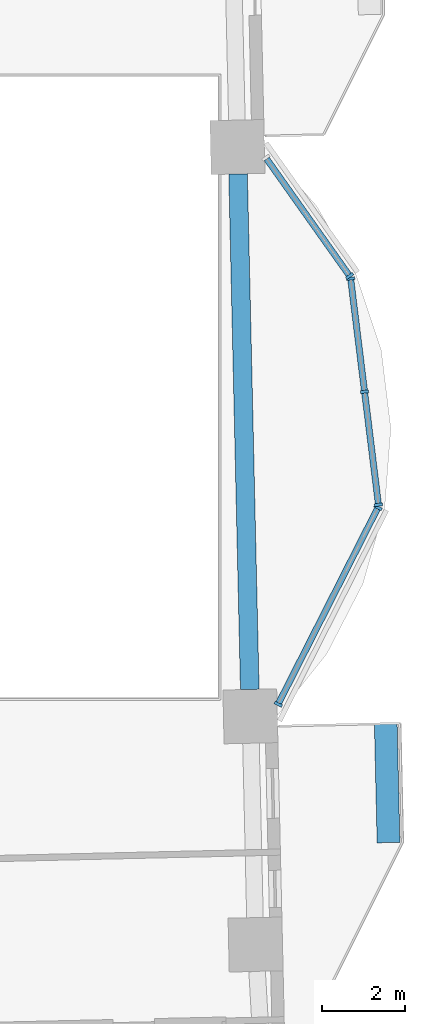
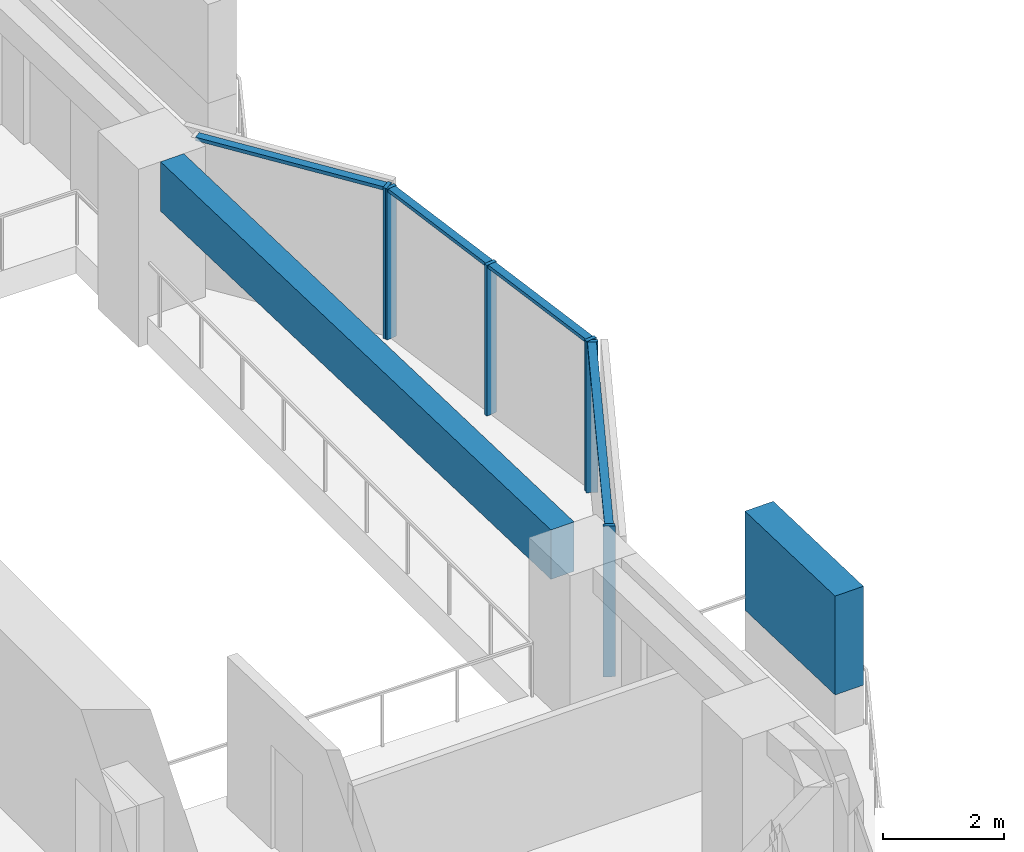
# One storey, part 2 of 16: 11 members, 1 beam, 3 elements without a shape of their own.
"""IFC4 building model written with IfcOpenShell, lengths in metres."""

from ifc_helpers import new_model, si_unit, direction, frame, origin, origin_2d, place, context, subcontext, project, spatial, rectangle, extrude, material, material_profile, profile_set, type_object, element, aggregate, save


model = new_model("IFC4")

# Units and contexts
model_context = context("Model", 3, precision=1e-05, world=origin(), true_north=direction((0.0, 1.0)))
body_context = subcontext(model_context, "Body", "Model", "MODEL_VIEW")
ifc_project = project(units=[si_unit("LENGTHUNIT", "METRE"), si_unit("AREAUNIT", "SQUARE_METRE"), si_unit("VOLUMEUNIT", "CUBIC_METRE"), si_unit("PLANEANGLEUNIT", "RADIAN"), si_unit("MASSUNIT", "GRAM", prefix="KILO")], contexts=[model_context])

# Site, building, storey
site_placement = place(None, origin())
site = spatial("IfcSite", under=ifc_project, at=site_placement, CompositionType="ELEMENT")
building_placement = place(site_placement, origin())
building = spatial("IfcBuilding", under=site, at=building_placement, Name="Mangrove Gate Tower", CompositionType="ELEMENT")
storey_placement = place(building_placement, frame((0.0, 0.0, 133.699951171875)))
storey = spatial("IfcBuildingStorey", under=building, at=storey_placement, Name="L33", CompositionType="ELEMENT", Elevation=133.699951171875)

# Curtain wall, members
ifc_material_1 = material(Name="Aluminium and glass curtain wall", Category="aluminium")
curtain_wall_type = type_object("IfcCurtainWallType", Name="Atrium garden-court glazing wall", PredefinedType="NOTDEFINED", material=ifc_material_1)
curtain_wall_1_placement = place(storey_placement, origin())
curtain_wall_1 = element("IfcCurtainWall", 1, at=curtain_wall_1_placement, inside=storey, type_object=curtain_wall_type, Name="Atrium garden-court glazing E1f1", PredefinedType="NOTDEFINED")
ifc_material_2 = material(Name="Aluminium alloy 6063-T6", Category="aluminium")
ifc_material_profile_1 = material_profile(ifc_material_2, rectangle(XDim=0.070068359375, YDim=0.199951171875, at=origin_2d()))
ifc_profile_set_1 = profile_set([ifc_material_profile_1], Name="Aluminium alloy 6063-T6")
member_type_1 = type_object("IfcMemberType", Name="Atrium garden-court glazing mullion 70x200", PredefinedType="MULLION", material=ifc_profile_set_1)
member_1_placement = place(storey_placement, frame((24.441162109375, -7.660400390625, 0.0), z_axis=(0.0, 0.0, 1.0), x_axis=(0.452614630938, 0.891706227331, 0.0)))
member_1 = element("IfcMember", 2, at=member_1_placement, type_object=member_type_1, Name="CWA mullion 1", PredefinedType="MULLION", context=body_context, shape_type="SweptSolid", body=[
    extrude(rectangle(XDim=0.070068359375, YDim=0.199951171875, at=origin_2d()), origin(), (0.0, 0.0, 1.0), 3.050048828125),
])
member_2_placement = place(storey_placement, frame((26.85302734375, -2.908935546875, 0.0), z_axis=(0.0, 0.0, 1.0), x_axis=(0.452614630938, 0.891706227331, 0.0)))
member_2 = element("IfcMember", 3, at=member_2_placement, type_object=member_type_1, Name="CWA mullion 2", PredefinedType="MULLION", context=body_context, shape_type="SweptSolid", body=[
    extrude(rectangle(XDim=0.070068359375, YDim=0.199951171875, at=origin_2d()), origin(), (0.0, 0.0, 1.0), 3.050048828125),
])

curtain_wall_2_placement = place(storey_placement, origin())
curtain_wall_2 = element("IfcCurtainWall", 4, at=curtain_wall_2_placement, inside=storey, type_object=curtain_wall_type, Name="Atrium garden-court glazing E1f2", PredefinedType="NOTDEFINED")
member_3_placement = place(storey_placement, frame((26.864501953125, -2.843017578125, 0.0), z_axis=(0.0, 0.0, 1.0), x_axis=(-0.122172285885, 0.992508908051, 0.0)))
member_3 = element("IfcMember", 5, at=member_3_placement, type_object=member_type_1, Name="CWA mullion 1", PredefinedType="MULLION", context=body_context, shape_type="SweptSolid", body=[
    extrude(rectangle(XDim=0.070068359375, YDim=0.199951171875, at=origin_2d()), origin(), (0.0, 0.0, 1.0), 3.050048828125),
])
member_4_placement = place(storey_placement, frame((26.5283203125, -0.112060546875, 0.0), z_axis=(0.0, 0.0, 1.0), x_axis=(-0.122172285885, 0.992508908051, 0.0)))
member_4 = element("IfcMember", 6, at=member_4_placement, type_object=member_type_1, Name="CWA mullion 2", PredefinedType="MULLION", context=body_context, shape_type="SweptSolid", body=[
    extrude(rectangle(XDim=0.070068359375, YDim=0.199951171875, at=origin_2d()), origin(), (0.0, 0.0, 1.0), 3.050048828125),
])
member_5_placement = place(storey_placement, frame((26.192138671875, 2.619140625, 0.0), z_axis=(0.0, 0.0, 1.0), x_axis=(-0.122172285885, 0.992508908051, 0.0)))
member_5 = element("IfcMember", 7, at=member_5_placement, type_object=member_type_1, Name="CWA mullion 3", PredefinedType="MULLION", context=body_context, shape_type="SweptSolid", body=[
    extrude(rectangle(XDim=0.070068359375, YDim=0.199951171875, at=origin_2d()), origin(), (0.0, 0.0, 1.0), 3.050048828125),
])

# Curtain wall, member
curtain_wall_3_placement = place(storey_placement, origin())
curtain_wall_3 = element("IfcCurtainWall", 8, at=curtain_wall_3_placement, inside=storey, type_object=curtain_wall_type, Name="Atrium garden-court glazing E1f3", PredefinedType="NOTDEFINED")
member_6_placement = place(storey_placement, frame((26.167724609375, 2.682373046875, 0.0), z_axis=(0.0, 0.0, 1.0), x_axis=(-0.578132252952, 0.815943072828, 0.0)))
member_6 = element("IfcMember", 9, at=member_6_placement, type_object=member_type_1, Name="CWA mullion 1", PredefinedType="MULLION", context=body_context, shape_type="SweptSolid", body=[
    extrude(rectangle(XDim=0.070068359375, YDim=0.199951171875, at=origin_2d()), origin(), (0.0, 0.0, 1.0), 3.050048828125),
])

# Member
ifc_material_3 = material(Name="Aluminium alloy 6063-T6", Category="aluminium")
ifc_material_profile_2 = material_profile(ifc_material_3, rectangle(XDim=0.070068359375, YDim=0.14990234375, at=origin_2d()))
ifc_profile_set_2 = profile_set([ifc_material_profile_2], Name="Aluminium alloy 6063-T6")
member_type_2 = type_object("IfcMemberType", Name="Atrium garden-court glazing transom 70x150", PredefinedType="USERDEFINED", material=ifc_profile_set_2)
member_7_placement = place(storey_placement, frame((24.45703125, -7.629150390625, 3.01513671875), z_axis=(0.452628185689, 0.891699347045, 0.0), x_axis=(0.0, 0.0, 1.0)))
member_7 = element("IfcMember", 10, at=member_7_placement, type_object=member_type_2, Name="CWA transom 1.2", ObjectType="TRANSOM", PredefinedType="USERDEFINED", context=body_context, shape_type="SweptSolid", body=[
    extrude(rectangle(XDim=0.070068359375, YDim=0.14990234375, at=origin_2d()), origin(), (0.0, 0.0, 1.0), 5.258544921875),
])

aggregate(curtain_wall_1, [member_1, member_2, member_7])

member_8_placement = place(storey_placement, frame((26.8603515625, -2.808349609375, 3.01513671875), z_axis=(-0.122174517154, 0.992508633392, 0.0), x_axis=(0.0, 0.0, 1.0)))
member_8 = element("IfcMember", 11, at=member_8_placement, type_object=member_type_2, Name="CWA transom 1.2", ObjectType="TRANSOM", PredefinedType="USERDEFINED", context=body_context, shape_type="SweptSolid", body=[
    extrude(rectangle(XDim=0.070068359375, YDim=0.14990234375, at=origin_2d()), origin(), (0.0, 0.0, 1.0), 2.681640625),
])

member_9_placement = place(storey_placement, frame((26.524169921875, -0.0771484375, 3.01513671875), z_axis=(-0.122174517154, 0.992508633392, 0.0), x_axis=(0.0, 0.0, 1.0)))
member_9 = element("IfcMember", 12, at=member_9_placement, type_object=member_type_2, Name="CWA transom 2.2", ObjectType="TRANSOM", PredefinedType="USERDEFINED", context=body_context, shape_type="SweptSolid", body=[
    extrude(rectangle(XDim=0.070068359375, YDim=0.14990234375, at=origin_2d()), origin(), (0.0, 0.0, 1.0), 2.681640625),
])

aggregate(curtain_wall_2, [member_3, member_4, member_5, member_8, member_9])

member_10_placement = place(storey_placement, frame((26.1474609375, 2.7109375, 3.01513671875), z_axis=(-0.578102277646, 0.81596431085, 0.0), x_axis=(0.0, 0.0, 1.0)))
member_10 = element("IfcMember", 13, at=member_10_placement, type_object=member_type_2, Name="CWA transom 1.2", ObjectType="TRANSOM", PredefinedType="USERDEFINED", context=body_context, shape_type="SweptSolid", body=[
    extrude(rectangle(XDim=0.070068359375, YDim=0.14990234375, at=origin_2d()), origin(), (0.0, 0.0, 1.0), 3.42919921875),
])

aggregate(curtain_wall_3, [member_6, member_10])

ifc_material_4 = material(Name="Planting on aluminium trellis", Category="aluminium")
ifc_material_profile_3 = material_profile(ifc_material_4, rectangle(XDim=0.550048828125, YDim=2.0, at=origin_2d()))
ifc_profile_set_3 = profile_set([ifc_material_profile_3], Name="Planting on aluminium trellis")
member_type_3 = type_object("IfcMemberType", Name="Balcony greenery screen 550x2000", PredefinedType="USERDEFINED", material=ifc_profile_set_3)
member_11_placement = place(storey_placement, frame((27.10693359375, -11.0009765625, 1.800048828125), z_axis=(-0.022929749512, 0.99973707873, 0.0), x_axis=(-0.99973707873, -0.022929749512, 0.0)))
element("IfcMember", 14, at=member_11_placement, inside=storey, type_object=member_type_3, Name="GREEN SCREEN L33 E0.1", ObjectType="PLANTING", PredefinedType="USERDEFINED", context=body_context, shape_type="SweptSolid", body=[
    extrude(rectangle(XDim=0.550048828125, YDim=2.0, at=origin_2d()), origin(), (0.0, 0.0, 1.0), 2.874755859375),
])

# Beam
ifc_material_5 = material(Name="Concrete C50/60", Category="concrete")
ifc_material_profile_4 = material_profile(ifc_material_5, rectangle(XDim=0.449951171875, YDim=1.0, at=origin_2d()))
ifc_profile_set_4 = profile_set([ifc_material_profile_4], Name="Concrete C50/60")
beam_type = type_object("IfcBeamType", Name="Edge beam RC 450x1000 C50/60", PredefinedType="BEAM", material=ifc_profile_set_4)
beam_placement = place(storey_placement, frame((23.75634765625, -7.302001953125, 2.550048828125), z_axis=(-0.02268532922, 0.999742654806, 0.0), x_axis=(-0.999742654806, -0.02268532922, 0.0)))
element("IfcBeam", 15, at=beam_placement, inside=storey, type_object=beam_type, Name="Edge beam L33 14", PredefinedType="BEAM", context=body_context, shape_type="SweptSolid", body=[
    extrude(rectangle(XDim=0.449951171875, YDim=1.0, at=origin_2d()), origin(), (0.0, 0.0, 1.0), 12.45166015625),
])

save(model, "model.ifc")
